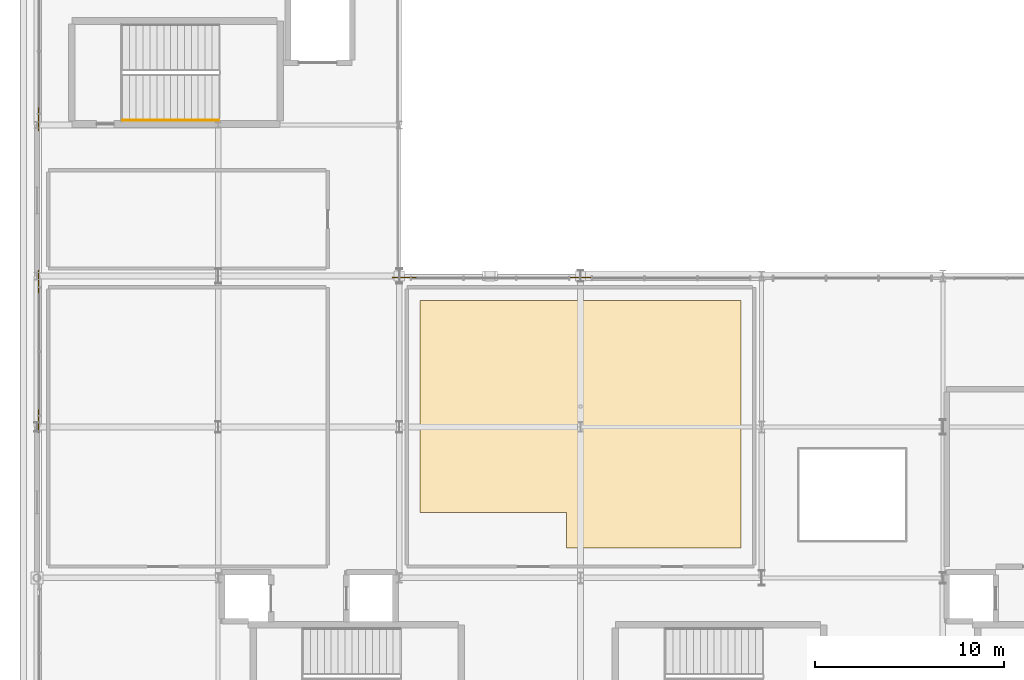
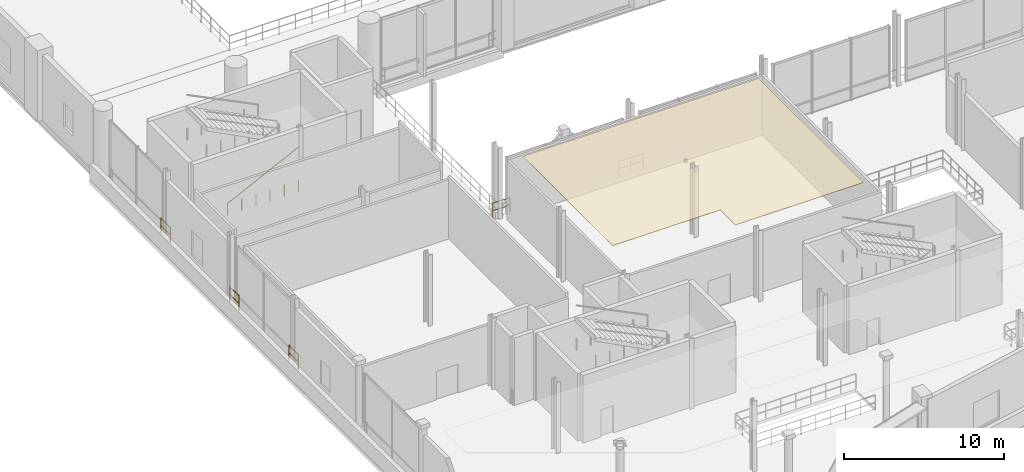
# One storey, part 107 of 129: 6 railings, 1 covering.
"""IFC4 building model written with IfcOpenShell, lengths in metres."""

from ifc_helpers import new_model, si_unit, direction, frame, origin, origin_2d, place, context, subcontext, project, spatial, polyline, circle, outline, extrude, material, layer, layer_set, type_object, element, save


model = new_model("IFC4")

# Units and contexts
model_context = context("Model", 3, precision=1e-05, world=origin(), true_north=direction((0.0, 1.0)))
body_context = subcontext(model_context, "Body", "Model", "MODEL_VIEW")
ifc_project = project(units=[si_unit("LENGTHUNIT", "METRE"), si_unit("AREAUNIT", "SQUARE_METRE"), si_unit("VOLUMEUNIT", "CUBIC_METRE"), si_unit("PLANEANGLEUNIT", "RADIAN"), si_unit("MASSUNIT", "GRAM", prefix="KILO")], contexts=[model_context])

# Site, building, storey
site_placement = place(None, origin())
site = spatial("IfcSite", under=ifc_project, at=site_placement, CompositionType="ELEMENT")
building_placement = place(site_placement, origin())
building = spatial("IfcBuilding", under=site, at=building_placement, Name="Danafjord Basin Convention Centre", CompositionType="ELEMENT")
storey_placement = place(building_placement, frame((0.0, 0.0, 6.0)))
storey = spatial("IfcBuildingStorey", under=building, at=storey_placement, Name="L01", CompositionType="ELEMENT", Elevation=6.0)

# Covering
ifc_material_1 = material(Name="Acoustic mineral-fibre tile ceiling")
ifc_layer = layer(ifc_material_1, 0.030029296875)
ifc_layer_set = layer_set([ifc_layer], Name="Acoustic mineral-fibre tile ceiling")
covering_type = type_object("IfcCoveringType", Name="COV-CLG-GYP01", PredefinedType="CEILING", material=ifc_layer_set)
covering_placement = place(storey_placement, frame((0.0, 0.0, 4.89990234375)))
element("IfcCovering", 1, at=covering_placement, inside=storey, type_object=covering_type, Name="Breakout Seminar Room M102 acoustic ceiling", PredefinedType="CEILING", context=body_context, shape_type="SweptSolid", body=[
    extrude(outline(polyline([(37.300048828125, 38.699951171875), (37.300048828125, 25.590087890625), (28.050048828125, 25.590087890625), (28.050048828125, 27.47509765625), (20.300048828125, 27.47509765625), (20.300048828125, 38.699951171875), (37.300048828125, 38.699951171875)])), origin(), (0.0, 0.0, 1.0), 0.030029296875),
])

# Railings
ifc_material_2 = material(Name="Laminated structural glass and stainless steel", Category="steel")
railing_type_1 = type_object("IfcRailingType", Name="RL-BAL-GLS", PredefinedType="BALUSTRADE", material=ifc_material_2)
for number, where, name in (
    (2, (0.080078125, 31.719970703125, 0.0), "L01 safety guard balustrade 58"),
    (3, (0.080078125, 39.1201171875, 0.0), "L01 safety guard balustrade 59"),
    (4, (0.080078125, 47.719970703125, 0.0), "L01 safety guard balustrade 60"),
):
    element("IfcRailing", number, at=place(storey_placement, frame(where)), inside=storey, type_object=railing_type_1, Name=name, PredefinedType="BALUSTRADE", context=body_context, shape_type="SweptSolid", body=[
        extrude(circle(Radius=0.02392578125, at=origin_2d()), frame((0.0, 0.0, 1.1259765625), z_axis=(0.0, 1.0, 0.0), x_axis=(-1.0, 0.0, 0.0)), (0.0, 0.0, 1.0), 1.159912109375),
        extrude(circle(Radius=0.02392578125, at=origin_2d()), frame((0.0, 0.0, 0.55078125), z_axis=(0.0, 1.0, 0.0), x_axis=(-1.0, 0.0, 0.0)), (0.0, 0.0, 1.0), 1.159912109375),
        extrude(circle(Radius=0.02099609375, at=origin_2d()), origin(), (0.0, 0.0, 1.0), 1.099853515625),
        extrude(circle(Radius=0.02099609375, at=origin_2d()), frame((0.0, 1.159912109375, 0.0)), (0.0, 0.0, 1.0), 1.099853515625),
    ])
railing_1_placement = place(storey_placement, frame((18.840087890625, 39.919921875, 0.0)))
element("IfcRailing", 5, at=railing_1_placement, inside=storey, type_object=railing_type_1, Name="L01 safety guard balustrade 88", PredefinedType="BALUSTRADE", context=body_context, shape_type="SweptSolid", body=[
    extrude(circle(Radius=0.02392578125, at=origin_2d()), frame((0.0, 0.0, 1.1259765625), z_axis=(1.0, 0.0, 0.0), x_axis=(0.0, 1.0, 0.0)), (0.0, 0.0, 1.0), 1.239990234375),
    extrude(circle(Radius=0.02392578125, at=origin_2d()), frame((0.0, 0.0, 0.55078125), z_axis=(1.0, 0.0, 0.0), x_axis=(0.0, 1.0, 0.0)), (0.0, 0.0, 1.0), 1.239990234375),
    extrude(circle(Radius=0.02099609375, at=origin_2d()), origin(), (0.0, 0.0, 1.0), 1.099853515625),
    extrude(circle(Radius=0.02099609375, at=origin_2d()), frame((0.6201171875, 0.0, 0.0)), (0.0, 0.0, 1.0), 1.099853515625),
    extrude(circle(Radius=0.02099609375, at=origin_2d()), frame((1.239990234375, 0.0, 0.0)), (0.0, 0.0, 1.0), 1.099853515625),
])
railing_2_placement = place(storey_placement, frame((27.919921875, 39.919921875, 0.0)))
element("IfcRailing", 6, at=railing_2_placement, inside=storey, type_object=railing_type_1, Name="L01 safety guard balustrade 89", PredefinedType="BALUSTRADE", context=body_context, shape_type="SweptSolid", body=[
    extrude(circle(Radius=0.02392578125, at=origin_2d()), frame((0.0, 0.0, 1.1259765625), z_axis=(1.0, 0.0, 0.0), x_axis=(0.0, 1.0, 0.0)), (0.0, 0.0, 1.0), 1.760009765625),
    extrude(circle(Radius=0.02392578125, at=origin_2d()), frame((0.0, 0.0, 0.55078125), z_axis=(1.0, 0.0, 0.0), x_axis=(0.0, 1.0, 0.0)), (0.0, 0.0, 1.0), 1.760009765625),
    extrude(circle(Radius=0.02099609375, at=origin_2d()), origin(), (0.0, 0.0, 1.0), 1.099853515625),
    extrude(circle(Radius=0.02099609375, at=origin_2d()), frame((0.8798828125, 0.0, 0.0)), (0.0, 0.0, 1.0), 1.099853515625),
    extrude(circle(Radius=0.02099609375, at=origin_2d()), frame((1.760009765625, 0.0, 0.0)), (0.0, 0.0, 1.0), 1.099853515625),
])
ifc_material_3 = material(Name="Brushed stainless steel EN 1.4404", Category="steel")
railing_type_2 = type_object("IfcRailingType", Name="RL-HR-STAIR", PredefinedType="HANDRAIL", material=ifc_material_3)
railing_3_placement = place(storey_placement, frame((4.530029296875, 48.260009765625, 0.179931640625)))
element("IfcRailing", 7, at=railing_3_placement, inside=storey, type_object=railing_type_2, Name="L01 ST-07 stair handrail 1", PredefinedType="HANDRAIL", context=body_context, shape_type="SweptSolid", body=[
    extrude(circle(Radius=0.02392578125, at=origin_2d()), frame((0.0, 0.0, 0.8759765625), z_axis=(0.89686481642, 0.0, 0.442304760396), x_axis=(0.0, 1.0, 0.0)), (0.0, 0.0, 1.0), 5.697509765625),
    extrude(circle(Radius=0.02099609375, at=origin_2d()), origin(), (0.0, 0.0, 1.0), 0.849853515625),
    extrude(circle(Radius=0.02099609375, at=origin_2d()), frame((1.02197265625, 0.0, 0.0)), (0.0, 0.0, 1.0), 0.849853515625),
    extrude(circle(Radius=0.02099609375, at=origin_2d()), frame((2.0439453125, 0.0, 0.0)), (0.0, 0.0, 1.0), 0.849853515625),
    extrude(circle(Radius=0.02099609375, at=origin_2d()), frame((3.06591796875, 0.0, 0.0)), (0.0, 0.0, 1.0), 0.849853515625),
    extrude(circle(Radius=0.02099609375, at=origin_2d()), frame((4.087890625, 0.0, 0.0)), (0.0, 0.0, 1.0), 0.849853515625),
    extrude(circle(Radius=0.02099609375, at=origin_2d()), frame((5.10986328125, 0.0, 0.0)), (0.0, 0.0, 1.0), 0.849853515625),
])

save(model, "model.ifc")
